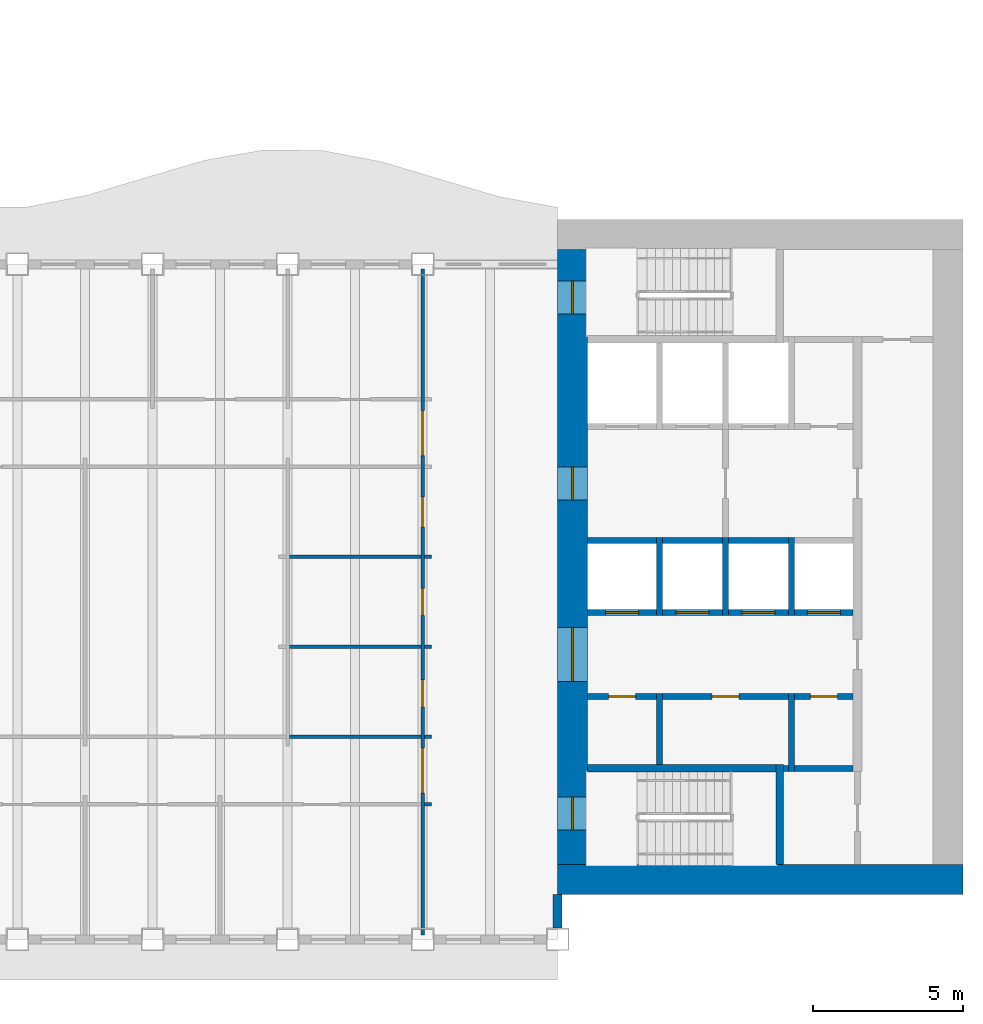
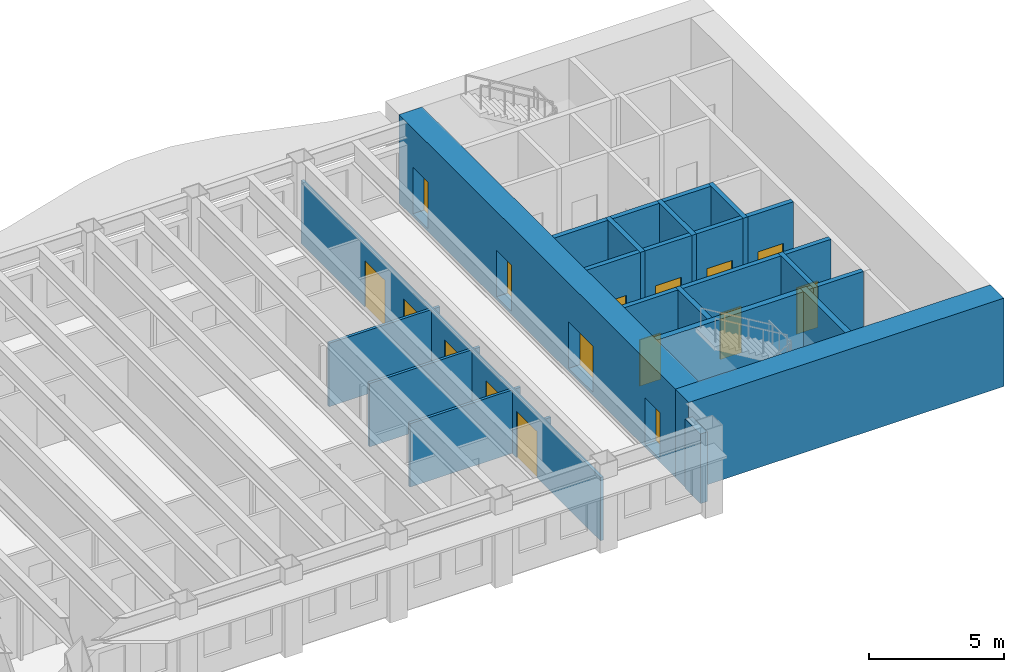
# One storey, part 6 of 17: 30 walls, 16 doors, 16 openings.
"""IFC4 building model written with IfcOpenShell, lengths in metres."""

from ifc_helpers import new_model, si_unit, direction, frame, frame_2d, origin, place, context, subcontext, project, spatial, rectangle, extrude, material, layer, layer_set, type_object, element, fill, save


model = new_model("IFC4")

# Units and contexts
model_context = context("Model", 3, precision=1e-05, world=origin(), true_north=direction((0.0, 1.0)))
body_context = subcontext(model_context, "Body", "Model", "MODEL_VIEW")
ifc_project = project(units=[si_unit("LENGTHUNIT", "METRE"), si_unit("AREAUNIT", "SQUARE_METRE"), si_unit("VOLUMEUNIT", "CUBIC_METRE"), si_unit("PLANEANGLEUNIT", "RADIAN"), si_unit("MASSUNIT", "GRAM", prefix="KILO")], contexts=[model_context])

# Site, building, storey
site_placement = place(None, origin())
site = spatial("IfcSite", under=ifc_project, at=site_placement, CompositionType="ELEMENT")
building_placement = place(site_placement, origin())
building = spatial("IfcBuilding", under=site, at=building_placement, Name="Sennacour Bend Tower", CompositionType="ELEMENT")
storey_placement = place(building_placement, frame((0.0, 0.0, 215.0)))
storey = spatial("IfcBuildingStorey", under=building, at=storey_placement, Name="L49", CompositionType="ELEMENT", Elevation=215.0)

# Wall
ifc_material_1 = material(Name="Concrete C60/75", Category="concrete")
ifc_layer_1 = layer(ifc_material_1, 1.0, Name="Concrete C60/75", Category="concrete")
ifc_layer_set_1 = layer_set([ifc_layer_1], Name="Concrete C60/75")
wall_type_1 = type_object("IfcWallType", Name="Core wall 1000 C60/75", PredefinedType="SHEAR", material=ifc_layer_set_1)
wall_1_placement = place(storey_placement, frame((67.5, 0.5, -0.14990234375), z_axis=(0.0, 0.0, 1.0), x_axis=(-1.0, 0.0, 0.0)))
element("IfcWall", 1, at=wall_1_placement, inside=storey, type_object=wall_type_1, Name="Core A wall L49 S", PredefinedType="SHEAR", context=body_context, shape_type="SweptSolid", body=[
    extrude(rectangle(XDim=13.5, YDim=1.0, at=frame_2d((6.75, 0.0))), origin(), (0.0, 0.0, 1.0), 4.0),
])

# Wall, openings, doors
wall_2_placement = place(storey_placement, frame((54.5, 1.0, -0.14990234375), z_axis=(0.0, 0.0, 1.0), x_axis=(0.0, 1.0, 0.0)))
wall_2 = element("IfcWall", 2, at=wall_2_placement, inside=storey, type_object=wall_type_1, Name="Core A wall L49 W", PredefinedType="SHEAR", context=body_context, shape_type="SweptSolid", body=[
    extrude(rectangle(XDim=20.5, YDim=1.0, at=frame_2d((10.25, 0.0))), origin(), (0.0, 0.0, 1.0), 4.0),
])
opening_1_placement = place(wall_2_placement, frame((6.10009765625, 0.0, 0.14990234375)))
opening_1 = element("IfcOpeningElement", 3, at=opening_1_placement, cuts=wall_2, Name="Opening CD", PredefinedType="OPENING", context=body_context, shape_type="SweptSolid", body=[
    extrude(rectangle(XDim=1.800048828125, YDim=2.10009765625, at=frame_2d((0.89990234375, 1.050048828125))), frame((0.0, 0.510009765625, 0.0), z_axis=(0.0, -1.0, 0.0), x_axis=(1.0, 0.0, 0.0)), (0.0, 0.0, 1.0), 1.02001953125),
])
opening_2_placement = place(wall_2_placement, frame((12.14990234375, 0.0, 0.14990234375)))
opening_2 = element("IfcOpeningElement", 4, at=opening_2_placement, cuts=wall_2, Name="Opening FD", PredefinedType="OPENING", context=body_context, shape_type="SweptSolid", body=[
    extrude(rectangle(XDim=1.10009765625, YDim=2.10009765625, at=frame_2d((0.550048828125, 1.050048828125))), frame((0.0, 0.510009765625, 0.0), z_axis=(0.0, -1.0, 0.0), x_axis=(1.0, 0.0, 0.0)), (0.0, 0.0, 1.0), 1.02001953125),
])
opening_3_placement = place(wall_2_placement, frame((1.14990234375, 0.0, 0.14990234375)))
opening_3 = element("IfcOpeningElement", 5, at=opening_3_placement, cuts=wall_2, Name="Opening SD", PredefinedType="OPENING", context=body_context, shape_type="SweptSolid", body=[
    extrude(rectangle(XDim=1.10009765625, YDim=2.10009765625, at=frame_2d((0.550048828125, 1.050048828125))), frame((0.0, 0.510009765625, 0.0), z_axis=(0.0, -1.0, 0.0), x_axis=(1.0, 0.0, 0.0)), (0.0, 0.0, 1.0), 1.02001953125),
])
opening_4_placement = place(wall_2_placement, frame((18.35009765625, 0.0, 0.14990234375)))
opening_4 = element("IfcOpeningElement", 6, at=opening_4_placement, cuts=wall_2, Name="Opening SD", PredefinedType="OPENING", context=body_context, shape_type="SweptSolid", body=[
    extrude(rectangle(XDim=1.10009765625, YDim=2.10009765625, at=frame_2d((0.550048828125, 1.050048828125))), frame((0.0, 0.510009765625, 0.0), z_axis=(0.0, -1.0, 0.0), x_axis=(1.0, 0.0, 0.0)), (0.0, 0.0, 1.0), 1.02001953125),
])
ifc_material_2 = material(Name="Painted steel", Category="steel")
door_type_1 = type_object("IfcDoorType", Name="DR-FFL-1100", OperationType="NOTDEFINED", PredefinedType="DOOR", material=ifc_material_2)
door_1_placement = place(opening_2_placement, origin())
door_1 = element("IfcDoor", 7, at=door_1_placement, inside=storey, type_object=door_type_1, Name="Door", OperationType="SINGLE_SWING_RIGHT", OverallHeight=2.10009765625, OverallWidth=1.10009765625, PredefinedType="DOOR", context=body_context, shape_type="SweptSolid", body=[
    extrude(rectangle(XDim=1.10009765625, YDim=2.10009765625, at=frame_2d((0.550048828125, 1.050048828125))), frame((0.0, 0.02490234375, 0.0), z_axis=(0.0, -1.0, 0.0), x_axis=(1.0, 0.0, 0.0)), (0.0, 0.0, 1.0), 0.050048828125),
])
fill(opening_2, door_1)
door_type_2 = type_object("IfcDoorType", Name="DR-LOBBY-1800", OperationType="NOTDEFINED", PredefinedType="DOOR", material=ifc_material_2)
door_2_placement = place(opening_1_placement, origin())
door_2 = element("IfcDoor", 8, at=door_2_placement, inside=storey, type_object=door_type_2, Name="Door", OperationType="DOUBLE_DOOR_SINGLE_SWING", OverallHeight=2.10009765625, OverallWidth=1.800048828125, PredefinedType="DOOR", context=body_context, shape_type="SweptSolid", body=[
    extrude(rectangle(XDim=1.800048828125, YDim=2.10009765625, at=frame_2d((0.89990234375, 1.050048828125))), frame((0.0, 0.02490234375, 0.0), z_axis=(0.0, -1.0, 0.0), x_axis=(1.0, 0.0, 0.0)), (0.0, 0.0, 1.0), 0.050048828125),
])
fill(opening_1, door_2)
door_type_3 = type_object("IfcDoorType", Name="DR-STAIR-1100", OperationType="NOTDEFINED", PredefinedType="DOOR", material=ifc_material_2)
door_3_placement = place(opening_3_placement, origin())
door_3 = element("IfcDoor", 9, at=door_3_placement, inside=storey, type_object=door_type_3, Name="Door", OperationType="SINGLE_SWING_LEFT", OverallHeight=2.10009765625, OverallWidth=1.10009765625, PredefinedType="DOOR", context=body_context, shape_type="SweptSolid", body=[
    extrude(rectangle(XDim=1.10009765625, YDim=2.10009765625, at=frame_2d((0.550048828125, 1.050048828125))), frame((0.0, 0.02490234375, 0.0), z_axis=(0.0, -1.0, 0.0), x_axis=(1.0, 0.0, 0.0)), (0.0, 0.0, 1.0), 0.050048828125),
])
fill(opening_3, door_3)
door_4_placement = place(opening_4_placement, origin())
door_4 = element("IfcDoor", 10, at=door_4_placement, inside=storey, type_object=door_type_3, Name="Door", OperationType="SINGLE_SWING_RIGHT", OverallHeight=2.10009765625, OverallWidth=1.10009765625, PredefinedType="DOOR", context=body_context, shape_type="SweptSolid", body=[
    extrude(rectangle(XDim=1.10009765625, YDim=2.10009765625, at=frame_2d((0.550048828125, 1.050048828125))), frame((0.0, 0.02490234375, 0.0), z_axis=(0.0, -1.0, 0.0), x_axis=(1.0, 0.0, 0.0)), (0.0, 0.0, 1.0), 0.050048828125),
])
fill(opening_4, door_4)

# Walls
ifc_material_3 = material(Name="Plasterboard partition on steel studs", Category="steel")
ifc_layer_2 = layer(ifc_material_3, 0.1201171875, Name="Plasterboard partition on steel studs", Category="steel")
ifc_layer_set_2 = layer_set([ifc_layer_2], Name="Plasterboard partition on steel studs")
wall_type_2 = type_object("IfcWallType", Name="Partition 120", PredefinedType="PARTITIONING", material=ifc_layer_set_2)
wall_3_placement = place(storey_placement, frame((49.56005859375, 3.0, 0.0), z_axis=(0.0, 0.0, 1.0), x_axis=(1.0, 0.0, 0.0)))
element("IfcWall", 11, at=wall_3_placement, inside=storey, type_object=wall_type_2, Name="P-L49-W050ah", PredefinedType="PARTITIONING", context=body_context, shape_type="SweptSolid", body=[
    extrude(rectangle(XDim=0.239990234375, YDim=0.1201171875, at=frame_2d((0.1201171875, 0.0))), origin(), (0.0, 0.0, 1.0), 2.8701171875),
])
wall_4_placement = place(storey_placement, frame((45.06005859375, 5.25, 0.0), z_axis=(0.0, 0.0, 1.0), x_axis=(1.0, 0.0, 0.0)))
element("IfcWall", 12, at=wall_4_placement, inside=storey, type_object=wall_type_2, Name="P-L49-W056ae", PredefinedType="PARTITIONING", context=body_context, shape_type="SweptSolid", body=[
    extrude(rectangle(XDim=4.3798828125, YDim=0.1201171875, at=frame_2d((2.18994140625, 0.0))), origin(), (0.0, 0.0, 1.0), 2.8701171875),
])
wall_5_placement = place(storey_placement, frame((49.56005859375, 5.25, 0.0), z_axis=(0.0, 0.0, 1.0), x_axis=(1.0, 0.0, 0.0)))
element("IfcWall", 13, at=wall_5_placement, inside=storey, type_object=wall_type_2, Name="P-L49-W056af", PredefinedType="PARTITIONING", context=body_context, shape_type="SweptSolid", body=[
    extrude(rectangle(XDim=0.239990234375, YDim=0.1201171875, at=frame_2d((0.1201171875, 0.0))), origin(), (0.0, 0.0, 1.0), 2.8701171875),
])
wall_6_placement = place(storey_placement, frame((45.06005859375, 8.25, 0.0), z_axis=(0.0, 0.0, 1.0), x_axis=(1.0, 0.0, 0.0)))
element("IfcWall", 14, at=wall_6_placement, inside=storey, type_object=wall_type_2, Name="P-L49-W059ab", PredefinedType="PARTITIONING", context=body_context, shape_type="SweptSolid", body=[
    extrude(rectangle(XDim=4.3798828125, YDim=0.1201171875, at=frame_2d((2.18994140625, 0.0))), origin(), (0.0, 0.0, 1.0), 2.8701171875),
])
wall_7_placement = place(storey_placement, frame((49.56005859375, 8.25, 0.0), z_axis=(0.0, 0.0, 1.0), x_axis=(1.0, 0.0, 0.0)))
element("IfcWall", 15, at=wall_7_placement, inside=storey, type_object=wall_type_2, Name="P-L49-W059ac", PredefinedType="PARTITIONING", context=body_context, shape_type="SweptSolid", body=[
    extrude(rectangle(XDim=0.239990234375, YDim=0.1201171875, at=frame_2d((0.1201171875, 0.0))), origin(), (0.0, 0.0, 1.0), 2.8701171875),
])
wall_8_placement = place(storey_placement, frame((45.06005859375, 11.25, 0.0), z_axis=(0.0, 0.0, 1.0), x_axis=(1.0, 0.0, 0.0)))
element("IfcWall", 16, at=wall_8_placement, inside=storey, type_object=wall_type_2, Name="P-L49-W062ab", PredefinedType="PARTITIONING", context=body_context, shape_type="SweptSolid", body=[
    extrude(rectangle(XDim=4.3798828125, YDim=0.1201171875, at=frame_2d((2.18994140625, 0.0))), origin(), (0.0, 0.0, 1.0), 2.8701171875),
])
wall_9_placement = place(storey_placement, frame((49.56005859375, 11.25, 0.0), z_axis=(0.0, 0.0, 1.0), x_axis=(1.0, 0.0, 0.0)))
element("IfcWall", 17, at=wall_9_placement, inside=storey, type_object=wall_type_2, Name="P-L49-W062ac", PredefinedType="PARTITIONING", context=body_context, shape_type="SweptSolid", body=[
    extrude(rectangle(XDim=0.239990234375, YDim=0.1201171875, at=frame_2d((0.1201171875, 0.0))), origin(), (0.0, 0.0, 1.0), 2.8701171875),
])

# Wall, openings, doors
ifc_layer_3 = layer(ifc_material_3, 0.1201171875, Name="Plasterboard partition on steel studs", Category="steel")
ifc_layer_set_3 = layer_set([ifc_layer_3], Name="Plasterboard partition on steel studs")
wall_type_3 = type_object("IfcWallType", Name="Partition 120 EI 30", PredefinedType="PARTITIONING", material=ifc_layer_set_3)
wall_10_placement = place(storey_placement, frame((49.5, -1.35009765625, 0.0), z_axis=(0.0, 0.0, 1.0), x_axis=(0.0, 1.0, 0.0)))
wall_10 = element("IfcWall", 18, at=wall_10_placement, inside=storey, type_object=wall_type_3, Name="P-L49-W033a", PredefinedType="PARTITIONING", context=body_context, shape_type="SweptSolid", body=[
    extrude(rectangle(XDim=22.2001953125, YDim=0.1201171875, at=frame_2d((11.10009765625, 0.0))), origin(), (0.0, 0.0, 1.0), 2.8701171875),
])
opening_5_placement = place(wall_10_placement, frame((4.72509765625, 0.0, 0.0)))
opening_5 = element("IfcOpeningElement", 19, at=opening_5_placement, cuts=wall_10, Name="Opening KD", PredefinedType="OPENING", context=body_context, shape_type="SweptSolid", body=[
    extrude(rectangle(XDim=1.5, YDim=2.10009765625, at=frame_2d((0.75, 1.050048828125))), frame((0.0, 0.070068359375, 0.0), z_axis=(0.0, -1.0, 0.0), x_axis=(1.0, 0.0, 0.0)), (0.0, 0.0, 1.0), 0.14013671875),
])
opening_6_placement = place(wall_10_placement, frame((15.97509765625, 0.0, 0.0)))
opening_6 = element("IfcOpeningElement", 20, at=opening_6_placement, cuts=wall_10, Name="Opening KD", PredefinedType="OPENING", context=body_context, shape_type="SweptSolid", body=[
    extrude(rectangle(XDim=1.5, YDim=2.10009765625, at=frame_2d((0.75, 1.050048828125))), frame((0.0, 0.070068359375, 0.0), z_axis=(0.0, -1.0, 0.0), x_axis=(1.0, 0.0, 0.0)), (0.0, 0.0, 1.0), 0.14013671875),
])
opening_7_placement = place(wall_10_placement, frame((7.60009765625, 0.0, 0.0)))
opening_7 = element("IfcOpeningElement", 21, at=opening_7_placement, cuts=wall_10, Name="Opening WD", PredefinedType="OPENING", context=body_context, shape_type="SweptSolid", body=[
    extrude(rectangle(XDim=0.89990234375, YDim=2.10009765625, at=frame_2d((0.449951171875, 1.050048828125))), frame((0.0, 0.070068359375, 0.0), z_axis=(0.0, -1.0, 0.0), x_axis=(1.0, 0.0, 0.0)), (0.0, 0.0, 1.0), 0.14013671875),
])
opening_8_placement = place(wall_10_placement, frame((10.650146484375, 0.0, 0.0)))
opening_8 = element("IfcOpeningElement", 22, at=opening_8_placement, cuts=wall_10, Name="Opening WD", PredefinedType="OPENING", context=body_context, shape_type="SweptSolid", body=[
    extrude(rectangle(XDim=0.89990234375, YDim=2.10009765625, at=frame_2d((0.449951171875, 1.050048828125))), frame((0.0, 0.070068359375, 0.0), z_axis=(0.0, -1.0, 0.0), x_axis=(1.0, 0.0, 0.0)), (0.0, 0.0, 1.0), 0.14013671875),
])
opening_9_placement = place(wall_10_placement, frame((13.60009765625, 0.0, 0.0)))
opening_9 = element("IfcOpeningElement", 23, at=opening_9_placement, cuts=wall_10, Name="Opening AD", PredefinedType="OPENING", context=body_context, shape_type="SweptSolid", body=[
    extrude(rectangle(XDim=1.0, YDim=2.10009765625, at=frame_2d((0.5, 1.050048828125))), frame((0.0, 0.070068359375, 0.0), z_axis=(0.0, -1.0, 0.0), x_axis=(1.0, 0.0, 0.0)), (0.0, 0.0, 1.0), 0.14013671875),
])
ifc_material_4 = material(Name="Timber", Category="wood")
door_type_4 = type_object("IfcDoorType", Name="DR-ACC-WC-1000", OperationType="NOTDEFINED", PredefinedType="DOOR", material=ifc_material_4)
door_5_placement = place(opening_9_placement, origin())
door_5 = element("IfcDoor", 24, at=door_5_placement, inside=storey, type_object=door_type_4, Name="Door", OperationType="SINGLE_SWING_RIGHT", OverallHeight=2.10009765625, OverallWidth=1.0, PredefinedType="DOOR", context=body_context, shape_type="SweptSolid", body=[
    extrude(rectangle(XDim=1.0, YDim=2.10009765625, at=frame_2d((0.5, 1.050048828125))), frame((0.0, 0.02490234375, 0.0), z_axis=(0.0, -1.0, 0.0), x_axis=(1.0, 0.0, 0.0)), (0.0, 0.0, 1.0), 0.050048828125),
])
fill(opening_9, door_5)
door_type_5 = type_object("IfcDoorType", Name="DR-CORRIDOR-1500", OperationType="NOTDEFINED", PredefinedType="DOOR", material=ifc_material_2)
door_6_placement = place(opening_5_placement, origin())
door_6 = element("IfcDoor", 25, at=door_6_placement, inside=storey, type_object=door_type_5, Name="Door", OperationType="SINGLE_SWING_LEFT", OverallHeight=2.10009765625, OverallWidth=1.5, PredefinedType="DOOR", context=body_context, shape_type="SweptSolid", body=[
    extrude(rectangle(XDim=1.5, YDim=2.10009765625, at=frame_2d((0.75, 1.050048828125))), frame((0.0, 0.02490234375, 0.0), z_axis=(0.0, -1.0, 0.0), x_axis=(1.0, 0.0, 0.0)), (0.0, 0.0, 1.0), 0.050048828125),
])
fill(opening_5, door_6)
door_7_placement = place(opening_6_placement, origin())
door_7 = element("IfcDoor", 26, at=door_7_placement, inside=storey, type_object=door_type_5, Name="Door", OperationType="SINGLE_SWING_RIGHT", OverallHeight=2.10009765625, OverallWidth=1.5, PredefinedType="DOOR", context=body_context, shape_type="SweptSolid", body=[
    extrude(rectangle(XDim=1.5, YDim=2.10009765625, at=frame_2d((0.75, 1.050048828125))), frame((0.0, 0.02490234375, 0.0), z_axis=(0.0, -1.0, 0.0), x_axis=(1.0, 0.0, 0.0)), (0.0, 0.0, 1.0), 0.050048828125),
])
fill(opening_6, door_7)
door_type_6 = type_object("IfcDoorType", Name="DR-WC-900", OperationType="NOTDEFINED", PredefinedType="DOOR", material=ifc_material_4)
door_8_placement = place(opening_7_placement, origin())
door_8 = element("IfcDoor", 27, at=door_8_placement, inside=storey, type_object=door_type_6, Name="Door", OperationType="SINGLE_SWING_LEFT", OverallHeight=2.10009765625, OverallWidth=0.89990234375, PredefinedType="DOOR", context=body_context, shape_type="SweptSolid", body=[
    extrude(rectangle(XDim=0.89990234375, YDim=2.10009765625, at=frame_2d((0.449951171875, 1.050048828125))), frame((0.0, 0.02490234375, 0.0), z_axis=(0.0, -1.0, 0.0), x_axis=(1.0, 0.0, 0.0)), (0.0, 0.0, 1.0), 0.050048828125),
])
fill(opening_7, door_8)
door_9_placement = place(opening_8_placement, origin())
door_9 = element("IfcDoor", 28, at=door_9_placement, inside=storey, type_object=door_type_6, Name="Door", OperationType="SINGLE_SWING_RIGHT", OverallHeight=2.10009765625, OverallWidth=0.89990234375, PredefinedType="DOOR", context=body_context, shape_type="SweptSolid", body=[
    extrude(rectangle(XDim=0.89990234375, YDim=2.10009765625, at=frame_2d((0.449951171875, 1.050048828125))), frame((0.0, 0.02490234375, 0.0), z_axis=(0.0, -1.0, 0.0), x_axis=(1.0, 0.0, 0.0)), (0.0, 0.0, 1.0), 0.050048828125),
])
fill(opening_8, door_9)

# Walls
ifc_material_5 = material(Name="Fire-rated plasterboard partition on steel studs", Category="steel")
ifc_layer_4 = layer(ifc_material_5, 0.199951171875, Name="Fire-rated plasterboard partition on steel studs", Category="steel")
ifc_layer_set_4 = layer_set([ifc_layer_4], Name="Fire-rated plasterboard partition on steel studs")
wall_type_4 = type_object("IfcWallType", Name="Rated partition 200", PredefinedType="PARTITIONING", material=ifc_layer_set_4)
wall_11_placement = place(storey_placement, frame((57.39990234375, 4.324951171875, 0.0), z_axis=(0.0, 0.0, 1.0), x_axis=(0.0, 1.0, 0.0)))
element("IfcWall", 29, at=wall_11_placement, inside=storey, type_object=wall_type_4, Name="P-L49-W035", PredefinedType="PARTITIONING", context=body_context, shape_type="SweptSolid", body=[
    extrude(rectangle(XDim=2.375, YDim=0.199951171875, at=frame_2d((1.1875, 0.0))), origin(), (0.0, 0.0, 1.0), 3.85009765625),
])
wall_12_placement = place(storey_placement, frame((61.800048828125, 4.10009765625, 0.0), z_axis=(0.0, 0.0, 1.0), x_axis=(0.0, 1.0, 0.0)))
element("IfcWall", 30, at=wall_12_placement, inside=storey, type_object=wall_type_4, Name="P-L49-W043", PredefinedType="PARTITIONING", context=body_context, shape_type="SweptSolid", body=[
    extrude(rectangle(XDim=2.599853515625, YDim=0.199951171875, at=frame_2d((1.2998046875, 0.0))), origin(), (0.0, 0.0, 1.0), 3.85009765625),
])
wall_13_placement = place(storey_placement, frame((61.52490234375, 4.199951171875, 0.0), z_axis=(0.0, 0.0, 1.0), x_axis=(1.0, 0.0, 0.0)))
element("IfcWall", 31, at=wall_13_placement, inside=storey, type_object=wall_type_4, Name="P-L49-W055a", PredefinedType="PARTITIONING", context=body_context, shape_type="SweptSolid", body=[
    extrude(rectangle(XDim=0.175048828125, YDim=0.199951171875, at=frame_2d((0.08740234375, 0.0))), origin(), (0.0, 0.0, 1.0), 3.85009765625),
])
wall_14_placement = place(storey_placement, frame((61.89990234375, 4.199951171875, 0.0), z_axis=(0.0, 0.0, 1.0), x_axis=(1.0, 0.0, 0.0)))
element("IfcWall", 32, at=wall_14_placement, inside=storey, type_object=wall_type_4, Name="P-L49-W055b", PredefinedType="PARTITIONING", context=body_context, shape_type="SweptSolid", body=[
    extrude(rectangle(XDim=1.9501953125, YDim=0.199951171875, at=frame_2d((0.97509765625, 0.0))), origin(), (0.0, 0.0, 1.0), 3.85009765625),
])

# Wall, opening, door
wall_15_placement = place(storey_placement, frame((55.0, 6.60009765625, 0.0), z_axis=(0.0, 0.0, 1.0), x_axis=(1.0, 0.0, 0.0)))
wall_15 = element("IfcWall", 33, at=wall_15_placement, inside=storey, type_object=wall_type_4, Name="P-L49-W057a", PredefinedType="PARTITIONING", context=body_context, shape_type="SweptSolid", body=[
    extrude(rectangle(XDim=2.300048828125, YDim=0.199951171875, at=frame_2d((1.14990234375, 0.0))), origin(), (0.0, 0.0, 1.0), 3.85009765625),
])
opening_10_placement = place(wall_15_placement, frame((0.699951171875, 0.0, 0.0)))
opening_10 = element("IfcOpeningElement", 34, at=opening_10_placement, cuts=wall_15, Name="Opening SV", PredefinedType="OPENING", context=body_context, shape_type="SweptSolid", body=[
    extrude(rectangle(XDim=0.89990234375, YDim=2.10009765625, at=frame_2d((0.449951171875, 1.050048828125))), frame((0.0, 0.10986328125, 0.0), z_axis=(0.0, -1.0, 0.0), x_axis=(1.0, 0.0, 0.0)), (0.0, 0.0, 1.0), 0.219970703125),
])
door_type_7 = type_object("IfcDoorType", Name="DR-SERVICE-900", OperationType="NOTDEFINED", PredefinedType="DOOR", material=ifc_material_2)
door_10_placement = place(opening_10_placement, origin())
door_10 = element("IfcDoor", 35, at=door_10_placement, inside=storey, type_object=door_type_7, Name="Door", OperationType="SINGLE_SWING_LEFT", OverallHeight=2.10009765625, OverallWidth=0.89990234375, PredefinedType="DOOR", context=body_context, shape_type="SweptSolid", body=[
    extrude(rectangle(XDim=0.89990234375, YDim=2.10009765625, at=frame_2d((0.449951171875, 1.050048828125))), frame((0.0, 0.02490234375, 0.0), z_axis=(0.0, -1.0, 0.0), x_axis=(1.0, 0.0, 0.0)), (0.0, 0.0, 1.0), 0.050048828125),
])
fill(opening_10, door_10)

wall_16_placement = place(storey_placement, frame((57.5, 6.60009765625, 0.0), z_axis=(0.0, 0.0, 1.0), x_axis=(1.0, 0.0, 0.0)))
wall_16 = element("IfcWall", 36, at=wall_16_placement, inside=storey, type_object=wall_type_4, Name="P-L49-W057b", PredefinedType="PARTITIONING", context=body_context, shape_type="SweptSolid", body=[
    extrude(rectangle(XDim=4.199951171875, YDim=0.199951171875, at=frame_2d((2.10009765625, 0.0))), origin(), (0.0, 0.0, 1.0), 3.85009765625),
])
opening_11_placement = place(wall_16_placement, frame((1.64990234375, 0.0, 0.0)))
opening_11 = element("IfcOpeningElement", 37, at=opening_11_placement, cuts=wall_16, Name="Opening WD", PredefinedType="OPENING", context=body_context, shape_type="SweptSolid", body=[
    extrude(rectangle(XDim=0.89990234375, YDim=2.10009765625, at=frame_2d((0.449951171875, 1.050048828125))), frame((0.0, 0.10986328125, 0.0), z_axis=(0.0, -1.0, 0.0), x_axis=(1.0, 0.0, 0.0)), (0.0, 0.0, 1.0), 0.219970703125),
])
door_11_placement = place(opening_11_placement, origin())
door_11 = element("IfcDoor", 38, at=door_11_placement, inside=storey, type_object=door_type_6, Name="Door", OperationType="SINGLE_SWING_RIGHT", OverallHeight=2.10009765625, OverallWidth=0.89990234375, PredefinedType="DOOR", context=body_context, shape_type="SweptSolid", body=[
    extrude(rectangle(XDim=0.89990234375, YDim=2.10009765625, at=frame_2d((0.449951171875, 1.050048828125))), frame((0.0, 0.02490234375, 0.0), z_axis=(0.0, -1.0, 0.0), x_axis=(1.0, 0.0, 0.0)), (0.0, 0.0, 1.0), 0.050048828125),
])
fill(opening_11, door_11)

wall_17_placement = place(storey_placement, frame((61.89990234375, 6.60009765625, 0.0), z_axis=(0.0, 0.0, 1.0), x_axis=(1.0, 0.0, 0.0)))
wall_17 = element("IfcWall", 39, at=wall_17_placement, inside=storey, type_object=wall_type_4, Name="P-L49-W057c", PredefinedType="PARTITIONING", context=body_context, shape_type="SweptSolid", body=[
    extrude(rectangle(XDim=1.9501953125, YDim=0.199951171875, at=frame_2d((0.97509765625, 0.0))), origin(), (0.0, 0.0, 1.0), 3.85009765625),
])
opening_12_placement = place(wall_17_placement, frame((0.525146484375, 0.0, 0.0)))
opening_12 = element("IfcOpeningElement", 40, at=opening_12_placement, cuts=wall_17, Name="Opening SV", PredefinedType="OPENING", context=body_context, shape_type="SweptSolid", body=[
    extrude(rectangle(XDim=0.89990234375, YDim=2.10009765625, at=frame_2d((0.449951171875, 1.050048828125))), frame((0.0, 0.10986328125, 0.0), z_axis=(0.0, -1.0, 0.0), x_axis=(1.0, 0.0, 0.0)), (0.0, 0.0, 1.0), 0.219970703125),
])
door_12_placement = place(opening_12_placement, origin())
door_12 = element("IfcDoor", 41, at=door_12_placement, inside=storey, type_object=door_type_7, Name="Door", OperationType="SINGLE_SWING_LEFT", OverallHeight=2.10009765625, OverallWidth=0.89990234375, PredefinedType="DOOR", context=body_context, shape_type="SweptSolid", body=[
    extrude(rectangle(XDim=0.89990234375, YDim=2.10009765625, at=frame_2d((0.449951171875, 1.050048828125))), frame((0.0, 0.02490234375, 0.0), z_axis=(0.0, -1.0, 0.0), x_axis=(1.0, 0.0, 0.0)), (0.0, 0.0, 1.0), 0.050048828125),
])
fill(opening_12, door_12)

# Walls
ifc_material_6 = material(Name="Warm limestone cladding", Category="masonry")
ifc_layer_5 = layer(ifc_material_6, 0.050048828125, Name="Warm limestone cladding", Category="masonry")
ifc_material_7 = material(Name="Precast concrete C40/50", Category="concrete")
ifc_layer_6 = layer(ifc_material_7, 0.25, Name="Precast concrete C40/50", Category="concrete")
ifc_layer_set_5 = layer_set([ifc_layer_5, ifc_layer_6], Name="Precast concrete C40/50 with limestone cladding")
wall_type_5 = type_object("IfcWallType", Name="STONE-CLAD PRECAST SPANDREL 300", PredefinedType="STANDARD", material=ifc_layer_set_5)
wall_18_placement = place(storey_placement, frame((54.0, -1.125, 0.0), z_axis=(0.0, 0.0, 1.0), x_axis=(0.0, 1.0, 0.0)))
element("IfcWall", 42, at=wall_18_placement, inside=storey, type_object=wall_type_5, Name="Stone spandrel and pier wall L49 01.00", PredefinedType="STANDARD", context=body_context, shape_type="SweptSolid", body=[
    extrude(rectangle(XDim=1.125, YDim=0.300048828125, at=frame_2d((0.5625, 0.0))), origin(), (0.0, 0.0, 1.0), 3.156982421875),
])
ifc_material_8 = material(Name="Concrete C50/60", Category="concrete")
ifc_layer_7 = layer(ifc_material_8, 0.199951171875, Name="Concrete C50/60", Category="concrete")
ifc_layer_set_6 = layer_set([ifc_layer_7], Name="Concrete C50/60")
wall_type_6 = type_object("IfcWallType", Name="Shaft wall 200", PredefinedType="SOLIDWALL", material=ifc_layer_set_6)
for number, where, z_axis, x_axis, name in (
    (43, (57.39990234375, 9.300048828125, 0.0), (0.0, 0.0, 1.0), (0.0, 1.0, 0.0), "P-L49-W036"),
    (44, (59.60009765625, 9.300048828125, 0.0), (0.0, 0.0, 1.0), (0.0, 1.0, 0.0), "P-L49-W038"),
    (45, (61.800048828125, 9.300048828125, 0.0), (0.0, 0.0, 1.0), (0.0, 1.0, 0.0), "P-L49-W044"),
):
    element("IfcWall", number, at=place(storey_placement, frame(where, z_axis=z_axis, x_axis=x_axis)), inside=storey, type_object=wall_type_6, Name=name, PredefinedType="SOLIDWALL", context=body_context, shape_type="SweptSolid", body=[
        extrude(rectangle(XDim=2.599853515625, YDim=0.199951171875, at=frame_2d((1.2998046875, 0.0))), origin(), (0.0, 0.0, 1.0), 3.85009765625),
    ])

# Wall, opening, door
wall_19_placement = place(storey_placement, frame((55.0, 9.39990234375, 0.0), z_axis=(0.0, 0.0, 1.0), x_axis=(1.0, 0.0, 0.0)))
wall_19 = element("IfcWall", 46, at=wall_19_placement, inside=storey, type_object=wall_type_6, Name="P-L49-W061a", PredefinedType="SOLIDWALL", context=body_context, shape_type="SweptSolid", body=[
    extrude(rectangle(XDim=2.300048828125, YDim=0.199951171875, at=frame_2d((1.14990234375, 0.0))), origin(), (0.0, 0.0, 1.0), 3.85009765625),
])
opening_13_placement = place(wall_19_placement, frame((0.60009765625, 0.0, 0.011962890625)))
opening_13 = element("IfcOpeningElement", 47, at=opening_13_placement, cuts=wall_19, Name="Opening LD", PredefinedType="OPENING", context=body_context, shape_type="SweptSolid", body=[
    extrude(rectangle(XDim=1.10009765625, YDim=2.10009765625, at=frame_2d((0.550048828125, 1.050048828125))), frame((0.0, 0.10986328125, 0.0), z_axis=(0.0, -1.0, 0.0), x_axis=(1.0, 0.0, 0.0)), (0.0, 0.0, 1.0), 0.219970703125),
])
ifc_material_9 = material(Name="Stainless steel", Category="steel")
door_type_8 = type_object("IfcDoorType", Name="DR-LANDING-1100", OperationType="NOTDEFINED", PredefinedType="DOOR", material=ifc_material_9)
door_13_placement = place(opening_13_placement, origin())
door_13 = element("IfcDoor", 48, at=door_13_placement, inside=storey, type_object=door_type_8, Name="Lift landing door HA1", OperationType="SLIDING_TO_LEFT", OverallHeight=2.10009765625, OverallWidth=1.10009765625, PredefinedType="DOOR", context=body_context, shape_type="SweptSolid", body=[
    extrude(rectangle(XDim=1.10009765625, YDim=2.10009765625, at=frame_2d((0.550048828125, 1.050048828125))), frame((0.0, 0.02490234375, 0.0), z_axis=(0.0, -1.0, 0.0), x_axis=(1.0, 0.0, 0.0)), (0.0, 0.0, 1.0), 0.050048828125),
])
fill(opening_13, door_13)

wall_20_placement = place(storey_placement, frame((57.5, 9.39990234375, 0.0), z_axis=(0.0, 0.0, 1.0), x_axis=(1.0, 0.0, 0.0)))
wall_20 = element("IfcWall", 49, at=wall_20_placement, inside=storey, type_object=wall_type_6, Name="P-L49-W061b", PredefinedType="SOLIDWALL", context=body_context, shape_type="SweptSolid", body=[
    extrude(rectangle(XDim=2.0, YDim=0.199951171875, at=frame_2d((1.0, 0.0))), origin(), (0.0, 0.0, 1.0), 3.85009765625),
])
opening_14_placement = place(wall_20_placement, frame((0.449951171875, 0.0, 0.011962890625)))
opening_14 = element("IfcOpeningElement", 50, at=opening_14_placement, cuts=wall_20, Name="Opening LD", PredefinedType="OPENING", context=body_context, shape_type="SweptSolid", body=[
    extrude(rectangle(XDim=1.10009765625, YDim=2.10009765625, at=frame_2d((0.550048828125, 1.050048828125))), frame((0.0, 0.10986328125, 0.0), z_axis=(0.0, -1.0, 0.0), x_axis=(1.0, 0.0, 0.0)), (0.0, 0.0, 1.0), 0.219970703125),
])
door_14_placement = place(opening_14_placement, origin())
door_14 = element("IfcDoor", 51, at=door_14_placement, inside=storey, type_object=door_type_8, Name="Lift landing door HA2", OperationType="SLIDING_TO_RIGHT", OverallHeight=2.10009765625, OverallWidth=1.10009765625, PredefinedType="DOOR", context=body_context, shape_type="SweptSolid", body=[
    extrude(rectangle(XDim=1.10009765625, YDim=2.10009765625, at=frame_2d((0.550048828125, 1.050048828125))), frame((0.0, 0.02490234375, 0.0), z_axis=(0.0, -1.0, 0.0), x_axis=(1.0, 0.0, 0.0)), (0.0, 0.0, 1.0), 0.050048828125),
])
fill(opening_14, door_14)

wall_21_placement = place(storey_placement, frame((59.699951171875, 9.39990234375, 0.0), z_axis=(0.0, 0.0, 1.0), x_axis=(1.0, 0.0, 0.0)))
wall_21 = element("IfcWall", 52, at=wall_21_placement, inside=storey, type_object=wall_type_6, Name="P-L49-W061c", PredefinedType="SOLIDWALL", context=body_context, shape_type="SweptSolid", body=[
    extrude(rectangle(XDim=2.0, YDim=0.199951171875, at=frame_2d((1.0, 0.0))), origin(), (0.0, 0.0, 1.0), 3.85009765625),
])
opening_15_placement = place(wall_21_placement, frame((0.449951171875, 0.0, 0.011962890625)))
opening_15 = element("IfcOpeningElement", 53, at=opening_15_placement, cuts=wall_21, Name="Opening LD", PredefinedType="OPENING", context=body_context, shape_type="SweptSolid", body=[
    extrude(rectangle(XDim=1.10009765625, YDim=2.10009765625, at=frame_2d((0.550048828125, 1.050048828125))), frame((0.0, 0.10986328125, 0.0), z_axis=(0.0, -1.0, 0.0), x_axis=(1.0, 0.0, 0.0)), (0.0, 0.0, 1.0), 0.219970703125),
])
door_15_placement = place(opening_15_placement, origin())
door_15 = element("IfcDoor", 54, at=door_15_placement, inside=storey, type_object=door_type_8, Name="Lift landing door HA3", OperationType="SLIDING_TO_LEFT", OverallHeight=2.10009765625, OverallWidth=1.10009765625, PredefinedType="DOOR", context=body_context, shape_type="SweptSolid", body=[
    extrude(rectangle(XDim=1.10009765625, YDim=2.10009765625, at=frame_2d((0.550048828125, 1.050048828125))), frame((0.0, 0.02490234375, 0.0), z_axis=(0.0, -1.0, 0.0), x_axis=(1.0, 0.0, 0.0)), (0.0, 0.0, 1.0), 0.050048828125),
])
fill(opening_15, door_15)

wall_22_placement = place(storey_placement, frame((61.89990234375, 9.39990234375, 0.0), z_axis=(0.0, 0.0, 1.0), x_axis=(1.0, 0.0, 0.0)))
wall_22 = element("IfcWall", 55, at=wall_22_placement, inside=storey, type_object=wall_type_6, Name="P-L49-W061d", PredefinedType="SOLIDWALL", context=body_context, shape_type="SweptSolid", body=[
    extrude(rectangle(XDim=1.9501953125, YDim=0.199951171875, at=frame_2d((0.97509765625, 0.0))), origin(), (0.0, 0.0, 1.0), 3.85009765625),
])
opening_16_placement = place(wall_22_placement, frame((0.425048828125, 0.0, 0.011962890625)))
opening_16 = element("IfcOpeningElement", 56, at=opening_16_placement, cuts=wall_22, Name="Opening LD", PredefinedType="OPENING", context=body_context, shape_type="SweptSolid", body=[
    extrude(rectangle(XDim=1.10009765625, YDim=2.10009765625, at=frame_2d((0.550048828125, 1.050048828125))), frame((0.0, 0.10986328125, 0.0), z_axis=(0.0, -1.0, 0.0), x_axis=(1.0, 0.0, 0.0)), (0.0, 0.0, 1.0), 0.219970703125),
])
door_16_placement = place(opening_16_placement, origin())
door_16 = element("IfcDoor", 57, at=door_16_placement, inside=storey, type_object=door_type_8, Name="Lift landing door HA4", OperationType="SLIDING_TO_RIGHT", OverallHeight=2.10009765625, OverallWidth=1.10009765625, PredefinedType="DOOR", context=body_context, shape_type="SweptSolid", body=[
    extrude(rectangle(XDim=1.10009765625, YDim=2.10009765625, at=frame_2d((0.550048828125, 1.050048828125))), frame((0.0, 0.02490234375, 0.0), z_axis=(0.0, -1.0, 0.0), x_axis=(1.0, 0.0, 0.0)), (0.0, 0.0, 1.0), 0.050048828125),
])
fill(opening_16, door_16)

# Walls
wall_23_placement = place(storey_placement, frame((55.0, 11.800048828125, 0.0), z_axis=(0.0, 0.0, 1.0), x_axis=(1.0, 0.0, 0.0)))
element("IfcWall", 58, at=wall_23_placement, inside=storey, type_object=wall_type_6, Name="P-L49-W063a", PredefinedType="SOLIDWALL", context=body_context, shape_type="SweptSolid", body=[
    extrude(rectangle(XDim=2.300048828125, YDim=0.199951171875, at=frame_2d((1.14990234375, 0.0))), origin(), (0.0, 0.0, 1.0), 3.85009765625),
])
for number, where, z_axis, x_axis, name in (
    (59, (57.5, 11.800048828125, 0.0), (0.0, 0.0, 1.0), (1.0, 0.0, 0.0), "P-L49-W063b"),
    (60, (59.699951171875, 11.800048828125, 0.0), (0.0, 0.0, 1.0), (1.0, 0.0, 0.0), "P-L49-W063c"),
):
    element("IfcWall", number, at=place(storey_placement, frame(where, z_axis=z_axis, x_axis=x_axis)), inside=storey, type_object=wall_type_6, Name=name, PredefinedType="SOLIDWALL", context=body_context, shape_type="SweptSolid", body=[
        extrude(rectangle(XDim=2.0, YDim=0.199951171875, at=frame_2d((1.0, 0.0))), origin(), (0.0, 0.0, 1.0), 3.85009765625),
    ])
ifc_layer_8 = layer(ifc_material_1, 0.25, Name="Concrete C60/75", Category="concrete")
ifc_layer_set_7 = layer_set([ifc_layer_8], Name="Concrete C60/75")
wall_type_7 = type_object("IfcWallType", Name="Stair wall 250", PredefinedType="SHEAR", material=ifc_layer_set_7)
wall_24_placement = place(storey_placement, frame((61.39990234375, 1.0, 0.0), z_axis=(0.0, 0.0, 1.0), x_axis=(0.0, 1.0, 0.0)))
element("IfcWall", 61, at=wall_24_placement, inside=storey, type_object=wall_type_7, Name="P-L49-W041", PredefinedType="SHEAR", context=body_context, shape_type="SweptSolid", body=[
    extrude(rectangle(XDim=3.324951171875, YDim=0.25, at=frame_2d((1.66259765625, 0.0))), origin(), (0.0, 0.0, 1.0), 3.85009765625),
])
wall_25_placement = place(storey_placement, frame((55.0, 4.199951171875, 0.0), z_axis=(0.0, 0.0, 1.0), x_axis=(1.0, 0.0, 0.0)))
element("IfcWall", 62, at=wall_25_placement, inside=storey, type_object=wall_type_7, Name="P-L49-W054", PredefinedType="SHEAR", context=body_context, shape_type="SweptSolid", body=[
    extrude(rectangle(XDim=6.27490234375, YDim=0.25, at=frame_2d((3.137451171875, 0.0))), origin(), (0.0, 0.0, 1.0), 3.85009765625),
])

save(model, "model.ifc")
